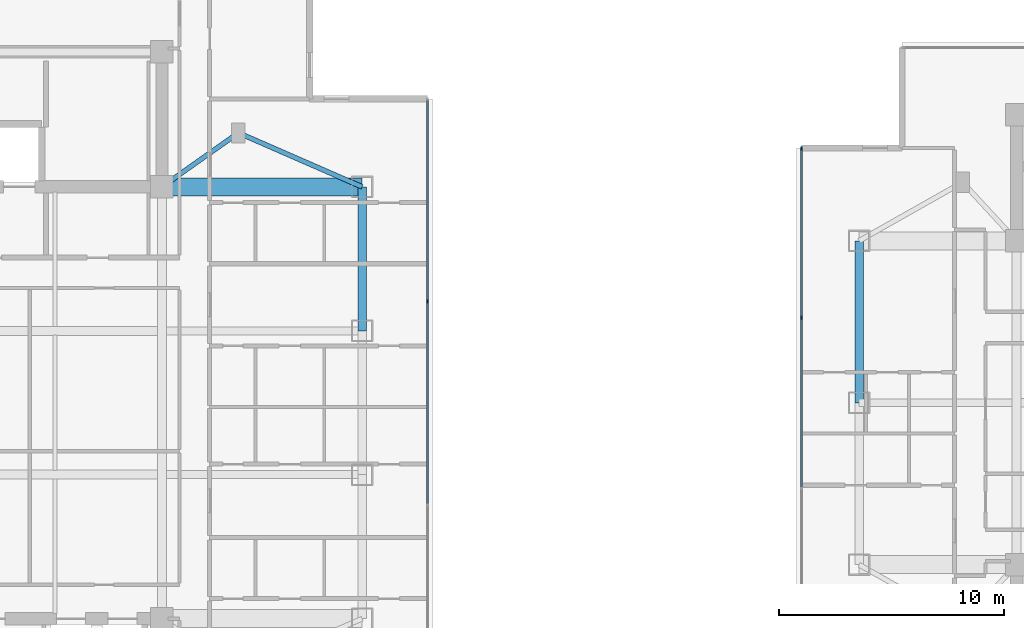
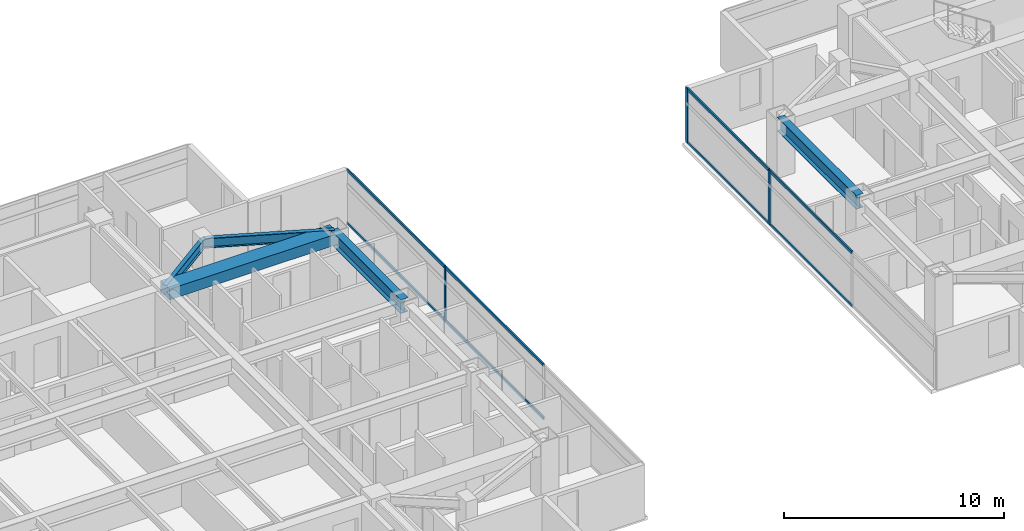
# One storey, part 5 of 25: 11 members, 5 beams, 2 elements without a shape of their own.
"""IFC4 building model written with IfcOpenShell, lengths in metres."""

from ifc_helpers import new_model, si_unit, direction, frame, origin, origin_2d, place, context, subcontext, project, spatial, rectangle, i_section, extrude, material, material_profile, profile_set, type_object, element, aggregate, save


model = new_model("IFC4")

# Units and contexts
model_context = context("Model", 3, precision=1e-05, world=origin(), true_north=direction((0.0, 1.0)))
body_context = subcontext(model_context, "Body", "Model", "MODEL_VIEW")
ifc_project = project(units=[si_unit("LENGTHUNIT", "METRE"), si_unit("AREAUNIT", "SQUARE_METRE"), si_unit("VOLUMEUNIT", "CUBIC_METRE"), si_unit("PLANEANGLEUNIT", "RADIAN"), si_unit("MASSUNIT", "GRAM", prefix="KILO")], contexts=[model_context])

# Site, building, storey
site_placement = place(None, origin())
site = spatial("IfcSite", under=ifc_project, at=site_placement, CompositionType="ELEMENT")
building_placement = place(site_placement, origin())
building = spatial("IfcBuilding", under=site, at=building_placement, Name="Mirazonda Arch Towers", CompositionType="ELEMENT")
storey_placement = place(building_placement, frame((0.0, 0.0, 173.89990234375)))
storey = spatial("IfcBuildingStorey", under=building, at=storey_placement, Name="L49", CompositionType="ELEMENT", Elevation=173.89990234375)

# Beams
ifc_material_1 = material(Name="Steel ASTM A992 Grade 50", Category="steel")
ifc_material_profile_1 = material_profile(ifc_material_1, i_section(OverallWidth=0.381103515625, OverallDepth=0.77294921875, WebThickness=0.0166015625, FlangeThickness=0.027099609375, at=origin_2d()), Name="W30X173")
ifc_profile_set_1 = profile_set([ifc_material_profile_1], Name="Steel ASTM A992 Grade 50")
beam_type_1 = type_object("IfcBeamType", Name="BM-EXT-W30X173", PredefinedType="USERDEFINED", material=ifc_profile_set_1)
beam_1_placement = place(storey_placement, frame((38.89990234375, 31.199951171875, 2.66357421875), z_axis=(0.0, 1.0, 0.0), x_axis=(-1.0, 0.0, 0.0)))
element("IfcBeam", 1, at=beam_1_placement, inside=storey, type_object=beam_type_1, Name="L49 Floor Beam BM-T1-L49-NS-E-31", ObjectType="GIRDER", PredefinedType="USERDEFINED", context=body_context, shape_type="SweptSolid", body=[
    extrude(i_section(OverallWidth=0.381103515625, OverallDepth=0.77294921875, WebThickness=0.0166015625, FlangeThickness=0.027099609375, at=origin_2d()), origin(), (0.0, 0.0, 1.0), 6.400146484375),
])
beam_2_placement = place(storey_placement, frame((61.0, 28.0, 2.66357421875), z_axis=(0.0, 1.0, 0.0), x_axis=(-1.0, 0.0, 0.0)))
element("IfcBeam", 2, at=beam_2_placement, inside=storey, type_object=beam_type_1, Name="L49 Floor Beam BM-T2-L49-NS-W-28", ObjectType="GIRDER", PredefinedType="USERDEFINED", context=body_context, shape_type="SweptSolid", body=[
    extrude(i_section(OverallWidth=0.381103515625, OverallDepth=0.77294921875, WebThickness=0.0166015625, FlangeThickness=0.027099609375, at=origin_2d()), origin(), (0.0, 0.0, 1.0), 7.199951171875),
])
ifc_material_profile_2 = material_profile(ifc_material_1, i_section(OverallWidth=0.214111328125, OverallDepth=0.549072265625, WebThickness=0.0146484375, FlangeThickness=0.023681640625, at=origin_2d()), Name="W21X93")
ifc_profile_set_2 = profile_set([ifc_material_profile_2], Name="Steel ASTM A992 Grade 50")
beam_type_2 = type_object("IfcBeamType", Name="BM-INT-W21X93", PredefinedType="BEAM", material=ifc_profile_set_2)
beam_3_placement = place(storey_placement, frame((33.39990234375, 40.0, 2.775634765625), z_axis=(-0.816971114901, -0.576678591087, 0.0), x_axis=(0.576678591087, -0.816971114901, 0.0)))
element("IfcBeam", 3, at=beam_3_placement, inside=storey, type_object=beam_type_2, Name="L49 Floor Beam BM-T1-L49-PL-NE1", PredefinedType="BEAM", context=body_context, shape_type="SweptSolid", body=[
    extrude(i_section(OverallWidth=0.214111328125, OverallDepth=0.549072265625, WebThickness=0.0146484375, FlangeThickness=0.023681640625, at=origin_2d()), origin(), (0.0, 0.0, 1.0), 4.16162109375),
])
beam_4_placement = place(storey_placement, frame((33.39990234375, 40.0, 2.775634765625), z_axis=(0.916545343703, -0.399930785183, 0.0), x_axis=(0.399930785183, 0.916545343703, 0.0)))
element("IfcBeam", 4, at=beam_4_placement, inside=storey, type_object=beam_type_2, Name="L49 Floor Beam BM-T1-L49-PL-NE2", PredefinedType="BEAM", context=body_context, shape_type="SweptSolid", body=[
    extrude(i_section(OverallWidth=0.214111328125, OverallDepth=0.549072265625, WebThickness=0.0146484375, FlangeThickness=0.023681640625, at=origin_2d()), origin(), (0.0, 0.0, 1.0), 6.000732421875),
])
ifc_material_2 = material(Name="Concrete C60/75", Category="concrete")
ifc_material_profile_3 = material_profile(ifc_material_2, rectangle(XDim=0.800048828125, YDim=0.60009765625, at=origin_2d()), Name="RCCB800x600")
ifc_profile_set_3 = profile_set([ifc_material_profile_3], Name="Concrete C60/75")
beam_type_3 = type_object("IfcBeamType", Name="CB-INT-RCCB800x600", PredefinedType="SPANDREL", material=ifc_profile_set_3)
beam_5_placement = place(storey_placement, frame((30.0, 37.60009765625, 2.75), z_axis=(1.0, 0.0, 0.0), x_axis=(0.0, 1.0, 0.0)))
element("IfcBeam", 5, at=beam_5_placement, inside=storey, type_object=beam_type_3, Name="L49 Floor Beam CBC-T1-L49-NE", PredefinedType="SPANDREL", context=body_context, shape_type="SweptSolid", body=[
    extrude(rectangle(XDim=0.800048828125, YDim=0.60009765625, at=origin_2d()), origin(), (0.0, 0.0, 1.0), 8.89990234375),
])

# Curtain wall, member
ifc_material_3 = material(Name="Anodised Aluminium and Low-E Glass", Category="aluminium")
curtain_wall_type = type_object("IfcCurtainWallType", Name="CW-RES-UNIT", PredefinedType="NOTDEFINED", material=ifc_material_3)
curtain_wall_1_placement = place(storey_placement, origin())
curtain_wall_1 = element("IfcCurtainWall", 6, at=curtain_wall_1_placement, inside=storey, type_object=curtain_wall_type, Name="L49 T1 E Facade CW-L49-T1-E", PredefinedType="NOTDEFINED")
ifc_material_4 = material(Name="Anodised Aluminium Alloy", Category="aluminium")
ifc_material_profile_4 = material_profile(ifc_material_4, rectangle(XDim=0.074951171875, YDim=0.175048828125, at=origin_2d()), Name="ALU-MULL-75x175")
ifc_profile_set_4 = profile_set([ifc_material_profile_4], Name="Anodised Aluminium Alloy")
member_type_1 = type_object("IfcMemberType", Name="MULL-CW-RES-UNIT", PredefinedType="MULLION", material=ifc_profile_set_4)
member_1_placement = place(storey_placement, frame((41.81005859375, 32.50439453125, 0.0), z_axis=(0.0, 0.0, 1.0), x_axis=(-1.0, 0.0, 0.0)))
member_1 = element("IfcMember", 7, at=member_1_placement, type_object=member_type_1, Name="CW-104 mullion 3", PredefinedType="MULLION", context=body_context, shape_type="SweptSolid", body=[
    extrude(rectangle(XDim=0.074951171875, YDim=0.175048828125, at=origin_2d()), origin(), (0.0, 0.0, 1.0), 3.030029296875),
])

# Curtain wall, members
curtain_wall_2_placement = place(storey_placement, origin())
curtain_wall_2 = element("IfcCurtainWall", 8, at=curtain_wall_2_placement, inside=storey, type_object=curtain_wall_type, Name="L49 T2 W Facade CW-L49-T2-W", PredefinedType="NOTDEFINED")
member_2_placement = place(storey_placement, frame((58.439453125, 39.28857421875, 0.0), z_axis=(0.0, 0.0, 1.0), x_axis=(1.0, 0.0, 0.0)))
member_2 = element("IfcMember", 9, at=member_2_placement, type_object=member_type_1, Name="CW-104 mullion 1", PredefinedType="MULLION", context=body_context, shape_type="SweptSolid", body=[
    extrude(rectangle(XDim=0.074951171875, YDim=0.175048828125, at=origin_2d()), origin(), (0.0, 0.0, 1.0), 3.030029296875),
])
member_3_placement = place(storey_placement, frame((58.439453125, 31.775390625, 0.0), z_axis=(0.0, 0.0, 1.0), x_axis=(1.0, 0.0, 0.0)))
member_3 = element("IfcMember", 10, at=member_3_placement, type_object=member_type_1, Name="CW-104 mullion 2", PredefinedType="MULLION", context=body_context, shape_type="SweptSolid", body=[
    extrude(rectangle(XDim=0.074951171875, YDim=0.175048828125, at=origin_2d()), origin(), (0.0, 0.0, 1.0), 3.030029296875),
])

# Member
ifc_material_profile_5 = material_profile(ifc_material_4, rectangle(XDim=0.074951171875, YDim=0.155029296875, at=origin_2d()), Name="ALU-TRAN-75x155")
ifc_profile_set_5 = profile_set([ifc_material_profile_5], Name="Anodised Aluminium Alloy")
member_type_2 = type_object("IfcMemberType", Name="TRAN-CW-RES-UNIT", PredefinedType="USERDEFINED", material=ifc_profile_set_5)
member_4_placement = place(storey_placement, frame((41.81005859375, 23.533203125, 0.03759765625), z_axis=(0.0, 1.0, 0.0), x_axis=(-1.0, 0.0, 0.0)))
member_4 = element("IfcMember", 11, at=member_4_placement, type_object=member_type_2, Name="CW-104 transom 2.1", ObjectType="TRANSOM", PredefinedType="USERDEFINED", context=body_context, shape_type="SweptSolid", body=[
    extrude(rectangle(XDim=0.074951171875, YDim=0.155029296875, at=origin_2d()), origin(), (0.0, 0.0, 1.0), 8.93359375),
])

member_5_placement = place(storey_placement, frame((41.81005859375, 23.533203125, 2.99267578125), z_axis=(0.0, 1.0, 0.0), x_axis=(-1.0, 0.0, 0.0)))
member_5 = element("IfcMember", 12, at=member_5_placement, type_object=member_type_2, Name="CW-104 transom 2.2", ObjectType="TRANSOM", PredefinedType="USERDEFINED", context=body_context, shape_type="SweptSolid", body=[
    extrude(rectangle(XDim=0.074951171875, YDim=0.155029296875, at=origin_2d()), origin(), (0.0, 0.0, 1.0), 8.93359375),
])

member_6_placement = place(storey_placement, frame((41.81005859375, 32.541748046875, 0.03759765625), z_axis=(0.0, 1.0, 0.0), x_axis=(-1.0, 0.0, 0.0)))
member_6 = element("IfcMember", 13, at=member_6_placement, type_object=member_type_2, Name="CW-104 transom 3.1", ObjectType="TRANSOM", PredefinedType="USERDEFINED", context=body_context, shape_type="SweptSolid", body=[
    extrude(rectangle(XDim=0.074951171875, YDim=0.155029296875, at=origin_2d()), origin(), (0.0, 0.0, 1.0), 8.896240234375),
])

member_7_placement = place(storey_placement, frame((41.81005859375, 32.541748046875, 2.99267578125), z_axis=(0.0, 1.0, 0.0), x_axis=(-1.0, 0.0, 0.0)))
member_7 = element("IfcMember", 14, at=member_7_placement, type_object=member_type_2, Name="CW-104 transom 3.2", ObjectType="TRANSOM", PredefinedType="USERDEFINED", context=body_context, shape_type="SweptSolid", body=[
    extrude(rectangle(XDim=0.074951171875, YDim=0.155029296875, at=origin_2d()), origin(), (0.0, 0.0, 1.0), 8.896240234375),
])

aggregate(curtain_wall_1, [member_1, member_4, member_5, member_6, member_7])

member_8_placement = place(storey_placement, frame((58.439453125, 39.251220703125, 0.03759765625), z_axis=(0.0, -1.0, 0.0), x_axis=(1.0, 0.0, 0.0)))
member_8 = element("IfcMember", 15, at=member_8_placement, type_object=member_type_2, Name="CW-104 transom 1.1", ObjectType="TRANSOM", PredefinedType="USERDEFINED", context=body_context, shape_type="SweptSolid", body=[
    extrude(rectangle(XDim=0.074951171875, YDim=0.155029296875, at=origin_2d()), origin(), (0.0, 0.0, 1.0), 7.438232421875),
])

member_9_placement = place(storey_placement, frame((58.439453125, 39.251220703125, 2.99267578125), z_axis=(0.0, -1.0, 0.0), x_axis=(1.0, 0.0, 0.0)))
member_9 = element("IfcMember", 16, at=member_9_placement, type_object=member_type_2, Name="CW-104 transom 1.2", ObjectType="TRANSOM", PredefinedType="USERDEFINED", context=body_context, shape_type="SweptSolid", body=[
    extrude(rectangle(XDim=0.074951171875, YDim=0.155029296875, at=origin_2d()), origin(), (0.0, 0.0, 1.0), 7.438232421875),
])

member_10_placement = place(storey_placement, frame((58.439453125, 31.73779296875, 0.03759765625), z_axis=(0.0, -1.0, 0.0), x_axis=(1.0, 0.0, 0.0)))
member_10 = element("IfcMember", 17, at=member_10_placement, type_object=member_type_2, Name="CW-104 transom 2.1", ObjectType="TRANSOM", PredefinedType="USERDEFINED", context=body_context, shape_type="SweptSolid", body=[
    extrude(rectangle(XDim=0.074951171875, YDim=0.155029296875, at=origin_2d()), origin(), (0.0, 0.0, 1.0), 7.4755859375),
])

member_11_placement = place(storey_placement, frame((58.439453125, 31.73779296875, 2.99267578125), z_axis=(0.0, -1.0, 0.0), x_axis=(1.0, 0.0, 0.0)))
member_11 = element("IfcMember", 18, at=member_11_placement, type_object=member_type_2, Name="CW-104 transom 2.2", ObjectType="TRANSOM", PredefinedType="USERDEFINED", context=body_context, shape_type="SweptSolid", body=[
    extrude(rectangle(XDim=0.074951171875, YDim=0.155029296875, at=origin_2d()), origin(), (0.0, 0.0, 1.0), 7.4755859375),
])

aggregate(curtain_wall_2, [member_2, member_3, member_8, member_9, member_10, member_11])

save(model, "model.ifc")
